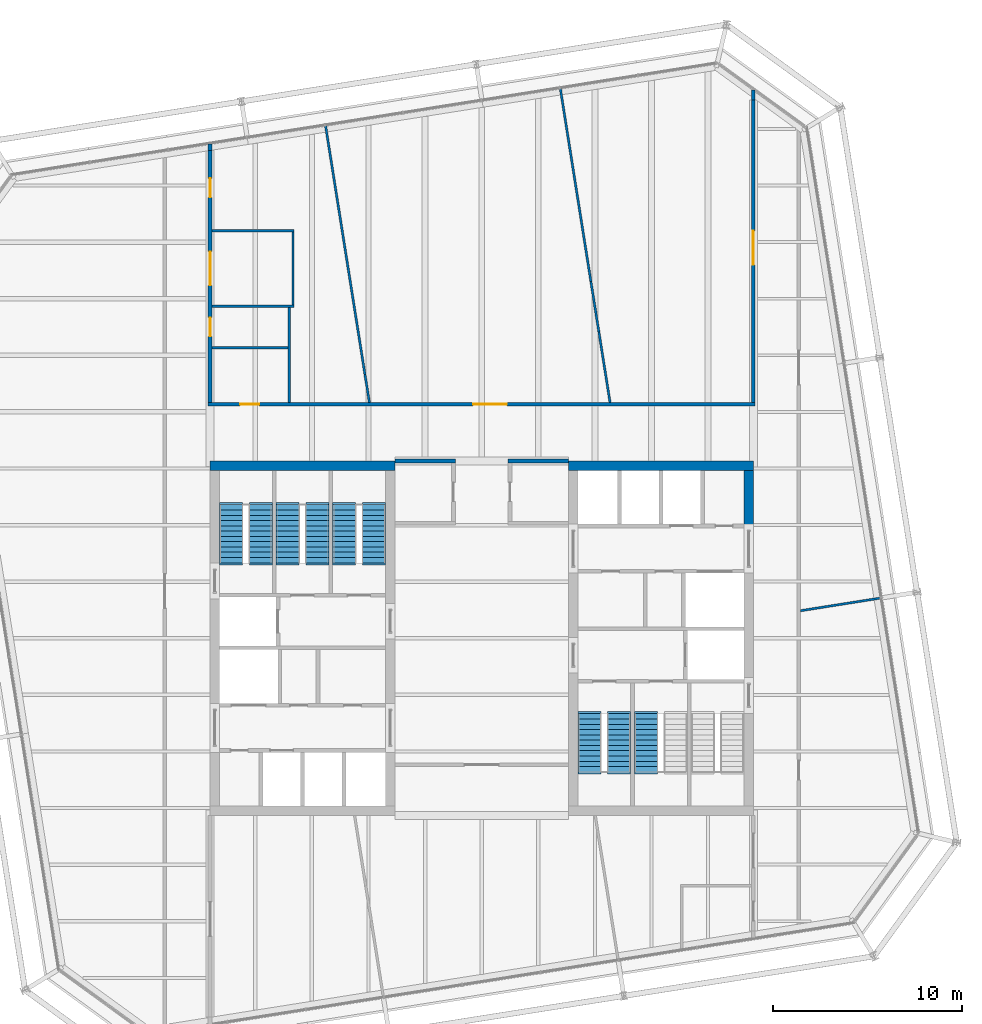
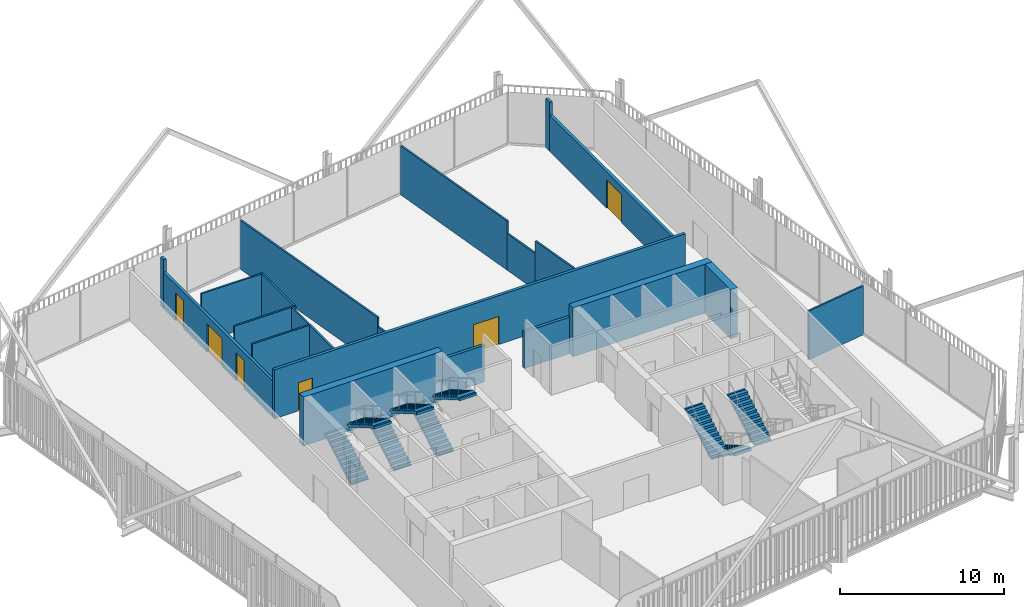
# One storey, part 19 of 21: 21 walls, 9 stair flights, 6 doors, 6 openings, 5 elements without a shape of their own.
"""IFC4 building model written with IfcOpenShell, lengths in metres."""

from ifc_helpers import new_model, si_unit, direction, frame, frame_2d, origin, place, context, subcontext, project, spatial, polyline, rectangle, outline, extrude, material, layer, layer_set, type_object, element, fill, aggregate, save


model = new_model("IFC4")

# Units and contexts
model_context = context("Model", 3, precision=1e-05, world=origin(), true_north=direction((0.0, 1.0)))
body_context = subcontext(model_context, "Body", "Model", "MODEL_VIEW")
ifc_project = project(units=[si_unit("LENGTHUNIT", "METRE"), si_unit("AREAUNIT", "SQUARE_METRE"), si_unit("VOLUMEUNIT", "CUBIC_METRE"), si_unit("PLANEANGLEUNIT", "RADIAN"), si_unit("MASSUNIT", "GRAM", prefix="KILO")], contexts=[model_context])

# Site, building, storey
site_placement = place(None, origin())
site = spatial("IfcSite", under=ifc_project, at=site_placement, CompositionType="ELEMENT")
building_placement = place(site_placement, origin())
building = spatial("IfcBuilding", under=site, at=building_placement, Name="Millrace Tower", CompositionType="ELEMENT")
storey_placement = place(building_placement, frame((0.0, 0.0, 235.89990234375)))
storey = spatial("IfcBuildingStorey", under=building, at=storey_placement, Name="L54", CompositionType="ELEMENT", Elevation=235.89990234375)

# Walls
ifc_material_1 = material(Name="Concrete C60", Category="concrete")
ifc_layer_1 = layer(ifc_material_1, 0.5)
ifc_layer_set_1 = layer_set([ifc_layer_1], Name="Concrete C60")
wall_type_1 = type_object("IfcWallType", Name="Core wall 500 Concrete C60", PredefinedType="SHEAR", material=ifc_layer_set_1)
for number, where, z_axis, x_axis, name in (
    (1, (-14.39990234375, 9.14990234375, 0.0), (0.0, 0.0, 1.0), (1.0, 0.0, 0.0), "Core wall W L54"),
    (2, (14.39990234375, 9.14990234375, 0.0), (0.0, 0.0, 1.0), (-1.0, 0.0, 0.0), "Core wall E L54"),
):
    element("IfcWall", number, at=place(storey_placement, frame(where, z_axis=z_axis, x_axis=x_axis)), inside=storey, type_object=wall_type_1, Name=name, PredefinedType="SHEAR", context=body_context, shape_type="SweptSolid", body=[
        extrude(rectangle(XDim=9.7998046875, YDim=0.5, at=frame_2d((4.89990234375, 0.0))), origin(), (0.0, 0.0, 1.0), 3.650146484375),
    ])
wall_1_placement = place(storey_placement, frame((14.14990234375, 8.89990234375, 0.0), z_axis=(0.0, 0.0, 1.0), x_axis=(0.0, -1.0, 0.0)))
element("IfcWall", 3, at=wall_1_placement, inside=storey, type_object=wall_type_1, Name="Core wall E L54", PredefinedType="SHEAR", context=body_context, shape_type="SweptSolid", body=[
    extrude(rectangle(XDim=3.14990234375, YDim=0.5, at=frame_2d((1.574951171875, 0.0))), origin(), (0.0, 0.0, 1.0), 3.650146484375),
])
ifc_material_2 = material(Name="Masonry partition, fire-rated", Category="masonry")
ifc_layer_2 = layer(ifc_material_2, 0.199951171875)
ifc_layer_set_2 = layer_set([ifc_layer_2], Name="Masonry partition, fire-rated")
wall_type_2 = type_object("IfcWallType", Name="Corridor wall 200", PredefinedType="PARTITIONING", material=ifc_layer_set_2)
for number, where, z_axis, x_axis, name in (
    (4, (-4.60009765625, 9.39990234375, 0.0), (0.0, 0.0, 1.0), (1.0, 0.0, 0.0), "Corridor wall L54"),
    (5, (1.39990234375, 9.39990234375, 0.0), (0.0, 0.0, 1.0), (1.0, 0.0, 0.0), "Corridor wall L54"),
):
    element("IfcWall", number, at=place(storey_placement, frame(where, z_axis=z_axis, x_axis=x_axis)), inside=storey, type_object=wall_type_2, Name=name, PredefinedType="PARTITIONING", context=body_context, shape_type="SweptSolid", body=[
        extrude(rectangle(XDim=3.2001953125, YDim=0.199951171875, at=frame_2d((1.60009765625, 0.0))), origin(), (0.0, 0.0, 1.0), 2.722900390625),
    ])

# Wall, openings, doors
wall_2_placement = place(storey_placement, frame((-14.5, 12.39990234375, 0.0), z_axis=(0.0, 0.0, 1.0), x_axis=(1.0, 0.0, 0.0)))
wall_2 = element("IfcWall", 6, at=wall_2_placement, inside=storey, type_object=wall_type_2, Name="Corridor wall L54", PredefinedType="PARTITIONING", context=body_context, shape_type="SweptSolid", body=[
    extrude(rectangle(XDim=29.0, YDim=0.199951171875, at=frame_2d((14.5, 0.0))), origin(), (0.0, 0.0, 1.0), 3.650146484375),
])
opening_1_placement = place(wall_2_placement, frame((1.699951171875, 0.0, 0.0)))
opening_1 = element("IfcOpeningElement", 7, at=opening_1_placement, cuts=wall_2, Name="Opening 54-P005", PredefinedType="OPENING", context=body_context, shape_type="SweptSolid", body=[
    extrude(rectangle(XDim=1.0, YDim=2.10009765625, at=frame_2d((0.5, 1.050048828125))), frame((0.0, 0.10986328125, 0.0), z_axis=(0.0, -1.0, 0.0), x_axis=(1.0, 0.0, 0.0)), (0.0, 0.0, 1.0), 0.219970703125),
])
opening_2_placement = place(wall_2_placement, frame((14.04052734375, 0.0, 0.0)))
opening_2 = element("IfcOpeningElement", 8, at=opening_2_placement, cuts=wall_2, Name="Opening 54-P008", PredefinedType="OPENING", context=body_context, shape_type="SweptSolid", body=[
    extrude(rectangle(XDim=1.800048828125, YDim=2.10009765625, at=frame_2d((0.89990234375, 1.050048828125))), frame((0.0, 0.10986328125, 0.0), z_axis=(0.0, -1.0, 0.0), x_axis=(1.0, 0.0, 0.0)), (0.0, 0.0, 1.0), 0.219970703125),
])
ifc_material_3 = material(Name="Steel door set, fire-rated", Category="steel")
door_type_1 = type_object("IfcDoorType", Name="Corridor door 1000 x 2100", OperationType="SINGLE_SWING_LEFT", PredefinedType="DOOR", material=ifc_material_3)
door_1_placement = place(opening_1_placement, origin())
door_1 = element("IfcDoor", 9, at=door_1_placement, inside=storey, type_object=door_type_1, Name="Door 54-P005", OperationType="SINGLE_SWING_LEFT", OverallHeight=2.10009765625, OverallWidth=1.0, PredefinedType="DOOR", context=body_context, shape_type="SweptSolid", body=[
    extrude(rectangle(XDim=1.0, YDim=2.10009765625, at=frame_2d((0.5, 1.050048828125))), frame((0.0, 0.02490234375, 0.0), z_axis=(0.0, -1.0, 0.0), x_axis=(1.0, 0.0, 0.0)), (0.0, 0.0, 1.0), 0.050048828125),
])
fill(opening_1, door_1)
ifc_material_4 = material(Name="Steel door set, fire-rated", Category="steel")
door_type_2 = type_object("IfcDoorType", Name="Corridor door 1800 x 2100", OperationType="DOUBLE_DOOR_SINGLE_SWING", PredefinedType="DOOR", material=ifc_material_4)
door_2_placement = place(opening_2_placement, frame((1.800048828125, 0.0, 0.0), z_axis=(0.0, 0.0, 1.0), x_axis=(-1.0, 0.0, 0.0)))
door_2 = element("IfcDoor", 10, at=door_2_placement, inside=storey, type_object=door_type_2, Name="Door 54-P008", OperationType="DOUBLE_DOOR_SINGLE_SWING", OverallHeight=2.10009765625, OverallWidth=1.800048828125, PredefinedType="DOOR", context=body_context, shape_type="SweptSolid", body=[
    extrude(rectangle(XDim=1.800048828125, YDim=2.10009765625, at=frame_2d((0.89990234375, 1.050048828125))), frame((0.0, 0.02490234375, 0.0), z_axis=(0.0, -1.0, 0.0), x_axis=(1.0, 0.0, 0.0)), (0.0, 0.0, 1.0), 0.050048828125),
])
fill(opening_2, door_2)

# Wall, opening, door
wall_3_placement = place(storey_placement, frame((14.39990234375, 12.5, 0.0), z_axis=(0.0, 0.0, 1.0), x_axis=(0.0, 1.0, 0.0)))
wall_3 = element("IfcWall", 11, at=wall_3_placement, inside=storey, type_object=wall_type_2, Name="Corridor wall L54", PredefinedType="PARTITIONING", context=body_context, shape_type="SweptSolid", body=[
    extrude(rectangle(XDim=16.040771484375, YDim=0.199951171875, at=frame_2d((8.0205078125, 0.0))), origin(), (0.0, 0.0, 1.0), 2.70263671875),
])
opening_3_placement = place(wall_3_placement, frame((7.298095703125, 0.0, 0.0)))
opening_3 = element("IfcOpeningElement", 12, at=opening_3_placement, cuts=wall_3, Name="Opening 54-P009", PredefinedType="OPENING", context=body_context, shape_type="SweptSolid", body=[
    extrude(rectangle(XDim=1.800048828125, YDim=2.10009765625, at=frame_2d((0.89990234375, 1.050048828125))), frame((0.0, 0.10986328125, 0.0), z_axis=(0.0, -1.0, 0.0), x_axis=(1.0, 0.0, 0.0)), (0.0, 0.0, 1.0), 0.219970703125),
])
door_3_placement = place(opening_3_placement, frame((1.800048828125, 0.0, 0.0), z_axis=(0.0, 0.0, 1.0), x_axis=(-1.0, 0.0, 0.0)))
door_3 = element("IfcDoor", 13, at=door_3_placement, inside=storey, type_object=door_type_2, Name="Door 54-P009", OperationType="DOUBLE_DOOR_SINGLE_SWING", OverallHeight=2.10009765625, OverallWidth=1.800048828125, PredefinedType="DOOR", context=body_context, shape_type="SweptSolid", body=[
    extrude(rectangle(XDim=1.800048828125, YDim=2.10009765625, at=frame_2d((0.89990234375, 1.050048828125))), frame((0.0, 0.02490234375, 0.0), z_axis=(0.0, -1.0, 0.0), x_axis=(1.0, 0.0, 0.0)), (0.0, 0.0, 1.0), 0.050048828125),
])
fill(opening_3, door_3)

# Wall
wall_4_placement = place(storey_placement, frame((14.39990234375, 28.540771484375, 0.0), z_axis=(0.0, 0.0, 1.0), x_axis=(0.0, 1.0, 0.0)))
element("IfcWall", 14, at=wall_4_placement, inside=storey, type_object=wall_type_2, Name="Corridor wall L54", PredefinedType="PARTITIONING", context=body_context, shape_type="SweptSolid", body=[
    extrude(rectangle(XDim=0.51708984375, YDim=0.199951171875, at=frame_2d((0.258544921875, 0.0))), origin(), (0.0, 0.0, 1.0), 3.650146484375),
])

# Wall, openings, doors
wall_5_placement = place(storey_placement, frame((-14.39990234375, 12.5, 0.0), z_axis=(0.0, 0.0, 1.0), x_axis=(0.0, 1.0, 0.0)))
wall_5 = element("IfcWall", 15, at=wall_5_placement, inside=storey, type_object=wall_type_2, Name="Corridor wall L54", PredefinedType="PARTITIONING", context=body_context, shape_type="SweptSolid", body=[
    extrude(rectangle(XDim=13.3486328125, YDim=0.199951171875, at=frame_2d((6.67431640625, 0.0))), origin(), (0.0, 0.0, 1.0), 2.70263671875),
])
opening_4_placement = place(wall_5_placement, frame((10.8740234375, 0.0, 0.0)))
opening_4 = element("IfcOpeningElement", 16, at=opening_4_placement, cuts=wall_5, Name="Opening 54-P004", PredefinedType="OPENING", context=body_context, shape_type="SweptSolid", body=[
    extrude(rectangle(XDim=1.0, YDim=2.10009765625, at=frame_2d((0.5, 1.050048828125))), frame((0.0, 0.10986328125, 0.0), z_axis=(0.0, -1.0, 0.0), x_axis=(1.0, 0.0, 0.0)), (0.0, 0.0, 1.0), 0.219970703125),
])
opening_5_placement = place(wall_5_placement, frame((3.5, 0.0, 0.0)))
opening_5 = element("IfcOpeningElement", 17, at=opening_5_placement, cuts=wall_5, Name="Opening 54-P006", PredefinedType="OPENING", context=body_context, shape_type="SweptSolid", body=[
    extrude(rectangle(XDim=1.0, YDim=2.10009765625, at=frame_2d((0.5, 1.050048828125))), frame((0.0, 0.10986328125, 0.0), z_axis=(0.0, -1.0, 0.0), x_axis=(1.0, 0.0, 0.0)), (0.0, 0.0, 1.0), 0.219970703125),
])
opening_6_placement = place(wall_5_placement, frame((6.199951171875, 0.0, 0.0)))
opening_6 = element("IfcOpeningElement", 18, at=opening_6_placement, cuts=wall_5, Name="Opening 54-P007", PredefinedType="OPENING", context=body_context, shape_type="SweptSolid", body=[
    extrude(rectangle(XDim=1.800048828125, YDim=2.10009765625, at=frame_2d((0.89990234375, 1.050048828125))), frame((0.0, 0.10986328125, 0.0), z_axis=(0.0, -1.0, 0.0), x_axis=(1.0, 0.0, 0.0)), (0.0, 0.0, 1.0), 0.219970703125),
])
door_4_placement = place(opening_4_placement, frame((1.0, 0.0, 0.0), z_axis=(0.0, 0.0, 1.0), x_axis=(-1.0, 0.0, 0.0)))
door_4 = element("IfcDoor", 19, at=door_4_placement, inside=storey, type_object=door_type_1, Name="Door 54-P004", OperationType="SINGLE_SWING_LEFT", OverallHeight=2.10009765625, OverallWidth=1.0, PredefinedType="DOOR", context=body_context, shape_type="SweptSolid", body=[
    extrude(rectangle(XDim=1.0, YDim=2.10009765625, at=frame_2d((0.5, 1.050048828125))), frame((0.0, 0.02490234375, 0.0), z_axis=(0.0, -1.0, 0.0), x_axis=(1.0, 0.0, 0.0)), (0.0, 0.0, 1.0), 0.050048828125),
])
fill(opening_4, door_4)
door_5_placement = place(opening_5_placement, frame((1.0, 0.0, 0.0), z_axis=(0.0, 0.0, 1.0), x_axis=(-1.0, 0.0, 0.0)))
door_5 = element("IfcDoor", 20, at=door_5_placement, inside=storey, type_object=door_type_1, Name="Door 54-P006", OperationType="SINGLE_SWING_RIGHT", OverallHeight=2.10009765625, OverallWidth=1.0, PredefinedType="DOOR", context=body_context, shape_type="SweptSolid", body=[
    extrude(rectangle(XDim=1.0, YDim=2.10009765625, at=frame_2d((0.5, 1.050048828125))), frame((0.0, 0.02490234375, 0.0), z_axis=(0.0, -1.0, 0.0), x_axis=(1.0, 0.0, 0.0)), (0.0, 0.0, 1.0), 0.050048828125),
])
fill(opening_5, door_5)
door_6_placement = place(opening_6_placement, frame((1.800048828125, 0.0, 0.0), z_axis=(0.0, 0.0, 1.0), x_axis=(-1.0, 0.0, 0.0)))
door_6 = element("IfcDoor", 21, at=door_6_placement, inside=storey, type_object=door_type_2, Name="Door 54-P007", OperationType="DOUBLE_DOOR_SINGLE_SWING", OverallHeight=2.10009765625, OverallWidth=1.800048828125, PredefinedType="DOOR", context=body_context, shape_type="SweptSolid", body=[
    extrude(rectangle(XDim=1.800048828125, YDim=2.10009765625, at=frame_2d((0.89990234375, 1.050048828125))), frame((0.0, 0.02490234375, 0.0), z_axis=(0.0, -1.0, 0.0), x_axis=(1.0, 0.0, 0.0)), (0.0, 0.0, 1.0), 0.050048828125),
])
fill(opening_6, door_6)

# Walls
wall_6_placement = place(storey_placement, frame((-14.39990234375, 25.8486328125, 0.0), z_axis=(0.0, 0.0, 1.0), x_axis=(0.0, 1.0, 0.0)))
element("IfcWall", 22, at=wall_6_placement, inside=storey, type_object=wall_type_2, Name="Corridor wall L54", PredefinedType="PARTITIONING", context=body_context, shape_type="SweptSolid", body=[
    extrude(rectangle(XDim=0.349609375, YDim=0.199951171875, at=frame_2d((0.1748046875, 0.0))), origin(), (0.0, 0.0, 1.0), 3.650146484375),
])
ifc_material_5 = material(Name="Gypsum board partition")
ifc_layer_3 = layer(ifc_material_5, 0.1201171875)
ifc_layer_set_3 = layer_set([ifc_layer_3], Name="Gypsum board partition")
wall_type_3 = type_object("IfcWallType", Name="Partition wall 120", PredefinedType="PARTITIONING", material=ifc_layer_set_3)
wall_7_placement = place(storey_placement, frame((-8.27685546875, 27.16796875, 0.0), z_axis=(0.0, 0.0, 1.0), x_axis=(0.156426233908, -0.987689644243, 0.0)))
element("IfcWall", 23, at=wall_7_placement, inside=storey, type_object=wall_type_3, Name="Partition wall L54", PredefinedType="PARTITIONING", context=body_context, shape_type="SweptSolid", body=[
    extrude(rectangle(XDim=13.356689453125, YDim=0.1201171875, at=frame_2d((6.67822265625, 0.0))), origin(), (0.0, 0.0, 1.0), 3.650146484375),
])
wall_8_placement = place(storey_placement, frame((-6.1875, 13.9755859375, 0.0), z_axis=(0.0, 0.0, 1.0), x_axis=(0.156423716504, -0.987690042936, 0.0)))
element("IfcWall", 24, at=wall_8_placement, inside=storey, type_object=wall_type_3, Name="Partition wall L54", PredefinedType="PARTITIONING", context=body_context, shape_type="SweptSolid", body=[
    extrude(rectangle(XDim=1.4951171875, YDim=0.1201171875, at=frame_2d((0.74755859375, 0.0))), origin(), (0.0, 0.0, 1.0), 2.956787109375),
])
wall_9_placement = place(storey_placement, frame((4.168212890625, 29.13916015625, 0.0), z_axis=(0.0, 0.0, 1.0), x_axis=(0.156414369749, -0.987691523167, 0.0)))
element("IfcWall", 25, at=wall_9_placement, inside=storey, type_object=wall_type_3, Name="Partition wall L54", PredefinedType="PARTITIONING", context=body_context, shape_type="SweptSolid", body=[
    extrude(rectangle(XDim=10.35009765625, YDim=0.1201171875, at=frame_2d((5.175048828125, 0.0))), origin(), (0.0, 0.0, 1.0), 3.650146484375),
])
wall_10_placement = place(storey_placement, frame((5.787109375, 18.91650390625, 0.0), z_axis=(0.0, 0.0, 1.0), x_axis=(0.156381577148, -0.987696715763, 0.0)))
element("IfcWall", 26, at=wall_10_placement, inside=storey, type_object=wall_type_3, Name="Partition wall L54", PredefinedType="PARTITIONING", context=body_context, shape_type="SweptSolid", body=[
    extrude(rectangle(XDim=2.72265625, YDim=0.1201171875, at=frame_2d((1.361328125, 0.0))), origin(), (0.0, 0.0, 1.0), 2.722900390625),
])
wall_11_placement = place(storey_placement, frame((6.212890625, 16.227294921875, 0.0), z_axis=(0.0, 0.0, 1.0), x_axis=(0.15644410697, -0.987686813415, 0.0)))
element("IfcWall", 27, at=wall_11_placement, inside=storey, type_object=wall_type_3, Name="Partition wall L54", PredefinedType="PARTITIONING", context=body_context, shape_type="SweptSolid", body=[
    extrude(rectangle(XDim=3.77490234375, YDim=0.1201171875, at=frame_2d((1.887451171875, 0.0))), origin(), (0.0, 0.0, 1.0), 3.650146484375),
])
wall_12_placement = place(storey_placement, frame((-14.300048828125, 15.39990234375, 0.0), z_axis=(0.0, 0.0, 1.0), x_axis=(1.0, 0.0, 0.0)))
element("IfcWall", 28, at=wall_12_placement, inside=storey, type_object=wall_type_3, Name="Partition wall L54", PredefinedType="PARTITIONING", context=body_context, shape_type="SweptSolid", body=[
    extrude(rectangle(XDim=4.0400390625, YDim=0.1201171875, at=frame_2d((2.02001953125, 0.0))), origin(), (0.0, 0.0, 1.0), 3.650146484375),
])
for number, where, z_axis, x_axis, name in (
    (29, (-14.300048828125, 17.60009765625, 0.0), (0.0, 0.0, 1.0), (1.0, 0.0, 0.0), "Partition wall L54"),
    (30, (-14.300048828125, 21.60009765625, 0.0), (0.0, 0.0, 1.0), (1.0, 0.0, 0.0), "Partition wall L54"),
):
    element("IfcWall", number, at=place(storey_placement, frame(where, z_axis=z_axis, x_axis=x_axis)), inside=storey, type_object=wall_type_3, Name=name, PredefinedType="PARTITIONING", context=body_context, shape_type="SweptSolid", body=[
        extrude(rectangle(XDim=4.360107421875, YDim=0.1201171875, at=frame_2d((2.18017578125, 0.0))), origin(), (0.0, 0.0, 1.0), 3.650146484375),
    ])
wall_13_placement = place(storey_placement, frame((16.898681640625, 1.459716796875, 0.0), z_axis=(0.0, 0.0, 1.0), x_axis=(0.987700537399, 0.156357438014, 0.0)))
element("IfcWall", 31, at=wall_13_placement, inside=storey, type_object=wall_type_3, Name="Partition wall L54", PredefinedType="PARTITIONING", context=body_context, shape_type="SweptSolid", body=[
    extrude(rectangle(XDim=4.2861328125, YDim=0.1201171875, at=frame_2d((2.14306640625, 0.0))), origin(), (0.0, 0.0, 1.0), 3.650146484375),
])
wall_14_placement = place(storey_placement, frame((-10.0, 17.659912109375, 0.0), z_axis=(0.0, 0.0, 1.0), x_axis=(0.0, 1.0, 0.0)))
element("IfcWall", 32, at=wall_14_placement, inside=storey, type_object=wall_type_3, Name="Partition wall L54", PredefinedType="PARTITIONING", context=body_context, shape_type="SweptSolid", body=[
    extrude(rectangle(XDim=3.880126953125, YDim=0.1201171875, at=frame_2d((1.93994140625, 0.0))), origin(), (0.0, 0.0, 1.0), 3.650146484375),
])
wall_15_placement = place(storey_placement, frame((-10.199951171875, 12.5, 0.0), z_axis=(0.0, 0.0, 1.0), x_axis=(0.0, 1.0, 0.0)))
element("IfcWall", 33, at=wall_15_placement, inside=storey, type_object=wall_type_3, Name="Partition wall L54", PredefinedType="PARTITIONING", context=body_context, shape_type="SweptSolid", body=[
    extrude(rectangle(XDim=5.0400390625, YDim=0.1201171875, at=frame_2d((2.52001953125, 0.0))), origin(), (0.0, 0.0, 1.0), 3.650146484375),
])

# Stair, stair flights
ifc_material_6 = material(Name="Concrete C35", Category="concrete")
stair_type = type_object("IfcStairType", Name="Exit stair", PredefinedType="HALF_TURN_STAIR", material=ifc_material_6)
placement = place(storey_placement, origin())
stair_1 = element("IfcStair", 34, at=placement, inside=storey, type_object=stair_type, Name="Stair 1 W L54", PredefinedType="HALF_TURN_STAIR")
ifc_material_7 = material(Name="Concrete C35", Category="concrete")
stair_flight_type = type_object("IfcStairFlightType", Name="Exit stair flight", PredefinedType="STRAIGHT", material=ifc_material_7)
stair_flight_1_placement = place(storey_placement, frame((-13.2900390625, 4.0, 0.0), z_axis=(0.0, 0.0, 1.0), x_axis=(0.0, 1.0, 0.0)))
stair_flight_1 = element("IfcStairFlight", 35, at=stair_flight_1_placement, type_object=stair_flight_type, Name="ST12 flight 1", NumberOfRisers=12, NumberOfTreads=11, PredefinedType="STRAIGHT", RiserHeight=0.1625, TreadLength=0.28, context=body_context, shape_type="SweptSolid", body=[
    extrude(outline(polyline([(-0.1201171875, -0.0400390625), (-0.1201171875, 0.0), (0.0, 0.0), (0.0, 0.16259765625), (0.280029296875, 0.16259765625), (0.280029296875, 0.324951171875), (0.56005859375, 0.324951171875), (0.56005859375, 0.487548828125), (0.840087890625, 0.487548828125), (0.840087890625, 0.64990234375), (1.1201171875, 0.64990234375), (1.1201171875, 0.8125), (1.39990234375, 0.8125), (1.39990234375, 0.97509765625), (1.679931640625, 0.97509765625), (1.679931640625, 1.137451171875), (1.9599609375, 1.137451171875), (1.9599609375, 1.300048828125), (2.239990234375, 1.300048828125), (2.239990234375, 1.46240234375), (2.52001953125, 1.46240234375), (2.52001953125, 1.625), (2.800048828125, 1.625), (2.800048828125, 1.78759765625), (3.080078125, 1.78759765625), (3.080078125, 1.8076171875), (3.199951171875, 1.8076171875), (3.199951171875, 1.6142578125), (3.080078125, 1.6142578125), (0.298583984375, 0.0), (0.298583984375, -0.0400390625), (-0.1201171875, -0.0400390625)])), frame((0.0, 0.60986328125, 0.0), z_axis=(0.0, -1.0, 0.0), x_axis=(1.0, 0.0, 0.0)), (0.0, 0.0, 1.0), 1.219970703125),
])
stair_flight_2_placement = place(storey_placement, frame((-11.7099609375, 7.080078125, 1.9501953125), z_axis=(0.0, 0.0, 1.0), x_axis=(0.0, -1.0, 0.0)))
stair_flight_2 = element("IfcStairFlight", 36, at=stair_flight_2_placement, type_object=stair_flight_type, Name="ST12 flight 2", NumberOfRisers=12, NumberOfTreads=11, PredefinedType="STRAIGHT", RiserHeight=0.1625, TreadLength=0.28, context=body_context, shape_type="SweptSolid", body=[
    extrude(outline(polyline([(-0.1201171875, -0.0400390625), (-0.1201171875, 0.0), (0.0, 0.0), (0.0, 0.16259765625), (0.280029296875, 0.16259765625), (0.280029296875, 0.324951171875), (0.56005859375, 0.324951171875), (0.56005859375, 0.487548828125), (0.840087890625, 0.487548828125), (0.840087890625, 0.64990234375), (1.1201171875, 0.64990234375), (1.1201171875, 0.8125), (1.39990234375, 0.8125), (1.39990234375, 0.97509765625), (1.679931640625, 0.97509765625), (1.679931640625, 1.137451171875), (1.9599609375, 1.137451171875), (1.9599609375, 1.300048828125), (2.239990234375, 1.300048828125), (2.239990234375, 1.46240234375), (2.52001953125, 1.46240234375), (2.52001953125, 1.625), (2.800048828125, 1.625), (2.800048828125, 1.78759765625), (3.080078125, 1.78759765625), (3.080078125, 1.8076171875), (3.199951171875, 1.8076171875), (3.199951171875, 1.6142578125), (3.080078125, 1.6142578125), (0.298583984375, 0.0), (0.298583984375, -0.0400390625), (-0.1201171875, -0.0400390625)])), frame((0.0, 0.60986328125, 0.0), z_axis=(0.0, -1.0, 0.0), x_axis=(1.0, 0.0, 0.0)), (0.0, 0.0, 1.0), 1.219970703125),
])
aggregate(stair_1, [stair_flight_1, stair_flight_2])

stair_2 = element("IfcStair", 37, at=placement, inside=storey, type_object=stair_type, Name="Stair 2 W L54", PredefinedType="HALF_TURN_STAIR")
stair_flight_3_placement = place(storey_placement, frame((-10.2900390625, 4.0, 0.0), z_axis=(0.0, 0.0, 1.0), x_axis=(0.0, 1.0, 0.0)))
stair_flight_3 = element("IfcStairFlight", 38, at=stair_flight_3_placement, type_object=stair_flight_type, Name="ST12 flight 1", NumberOfRisers=12, NumberOfTreads=11, PredefinedType="STRAIGHT", RiserHeight=0.1625, TreadLength=0.28, context=body_context, shape_type="SweptSolid", body=[
    extrude(outline(polyline([(-0.1201171875, -0.0400390625), (-0.1201171875, 0.0), (0.0, 0.0), (0.0, 0.16259765625), (0.280029296875, 0.16259765625), (0.280029296875, 0.324951171875), (0.56005859375, 0.324951171875), (0.56005859375, 0.487548828125), (0.840087890625, 0.487548828125), (0.840087890625, 0.64990234375), (1.1201171875, 0.64990234375), (1.1201171875, 0.8125), (1.39990234375, 0.8125), (1.39990234375, 0.97509765625), (1.679931640625, 0.97509765625), (1.679931640625, 1.137451171875), (1.9599609375, 1.137451171875), (1.9599609375, 1.300048828125), (2.239990234375, 1.300048828125), (2.239990234375, 1.46240234375), (2.52001953125, 1.46240234375), (2.52001953125, 1.625), (2.800048828125, 1.625), (2.800048828125, 1.78759765625), (3.080078125, 1.78759765625), (3.080078125, 1.8076171875), (3.199951171875, 1.8076171875), (3.199951171875, 1.6142578125), (3.080078125, 1.6142578125), (0.298583984375, 0.0), (0.298583984375, -0.0400390625), (-0.1201171875, -0.0400390625)])), frame((0.0, 0.60986328125, 0.0), z_axis=(0.0, -1.0, 0.0), x_axis=(1.0, 0.0, 0.0)), (0.0, 0.0, 1.0), 1.219970703125),
])
stair_flight_4_placement = place(storey_placement, frame((-8.7099609375, 7.080078125, 1.9501953125), z_axis=(0.0, 0.0, 1.0), x_axis=(0.0, -1.0, 0.0)))
stair_flight_4 = element("IfcStairFlight", 39, at=stair_flight_4_placement, type_object=stair_flight_type, Name="ST12 flight 2", NumberOfRisers=12, NumberOfTreads=11, PredefinedType="STRAIGHT", RiserHeight=0.1625, TreadLength=0.28, context=body_context, shape_type="SweptSolid", body=[
    extrude(outline(polyline([(-0.1201171875, -0.0400390625), (-0.1201171875, 0.0), (0.0, 0.0), (0.0, 0.16259765625), (0.280029296875, 0.16259765625), (0.280029296875, 0.324951171875), (0.56005859375, 0.324951171875), (0.56005859375, 0.487548828125), (0.840087890625, 0.487548828125), (0.840087890625, 0.64990234375), (1.1201171875, 0.64990234375), (1.1201171875, 0.8125), (1.39990234375, 0.8125), (1.39990234375, 0.97509765625), (1.679931640625, 0.97509765625), (1.679931640625, 1.137451171875), (1.9599609375, 1.137451171875), (1.9599609375, 1.300048828125), (2.239990234375, 1.300048828125), (2.239990234375, 1.46240234375), (2.52001953125, 1.46240234375), (2.52001953125, 1.625), (2.800048828125, 1.625), (2.800048828125, 1.78759765625), (3.080078125, 1.78759765625), (3.080078125, 1.8076171875), (3.199951171875, 1.8076171875), (3.199951171875, 1.6142578125), (3.080078125, 1.6142578125), (0.298583984375, 0.0), (0.298583984375, -0.0400390625), (-0.1201171875, -0.0400390625)])), frame((0.0, 0.60986328125, 0.0), z_axis=(0.0, -1.0, 0.0), x_axis=(1.0, 0.0, 0.0)), (0.0, 0.0, 1.0), 1.219970703125),
])
aggregate(stair_2, [stair_flight_3, stair_flight_4])

stair_3 = element("IfcStair", 40, at=placement, inside=storey, type_object=stair_type, Name="Stair 3 W L54", PredefinedType="HALF_TURN_STAIR")
stair_flight_5_placement = place(storey_placement, frame((-7.2900390625, 4.0, 0.0), z_axis=(0.0, 0.0, 1.0), x_axis=(0.0, 1.0, 0.0)))
stair_flight_5 = element("IfcStairFlight", 41, at=stair_flight_5_placement, type_object=stair_flight_type, Name="ST12 flight 1", NumberOfRisers=12, NumberOfTreads=11, PredefinedType="STRAIGHT", RiserHeight=0.1625, TreadLength=0.28, context=body_context, shape_type="SweptSolid", body=[
    extrude(outline(polyline([(-0.1201171875, -0.0400390625), (-0.1201171875, 0.0), (0.0, 0.0), (0.0, 0.16259765625), (0.280029296875, 0.16259765625), (0.280029296875, 0.324951171875), (0.56005859375, 0.324951171875), (0.56005859375, 0.487548828125), (0.840087890625, 0.487548828125), (0.840087890625, 0.64990234375), (1.1201171875, 0.64990234375), (1.1201171875, 0.8125), (1.39990234375, 0.8125), (1.39990234375, 0.97509765625), (1.679931640625, 0.97509765625), (1.679931640625, 1.137451171875), (1.9599609375, 1.137451171875), (1.9599609375, 1.300048828125), (2.239990234375, 1.300048828125), (2.239990234375, 1.46240234375), (2.52001953125, 1.46240234375), (2.52001953125, 1.625), (2.800048828125, 1.625), (2.800048828125, 1.78759765625), (3.080078125, 1.78759765625), (3.080078125, 1.8076171875), (3.199951171875, 1.8076171875), (3.199951171875, 1.6142578125), (3.080078125, 1.6142578125), (0.298583984375, 0.0), (0.298583984375, -0.0400390625), (-0.1201171875, -0.0400390625)])), frame((0.0, 0.60986328125, 0.0), z_axis=(0.0, -1.0, 0.0), x_axis=(1.0, 0.0, 0.0)), (0.0, 0.0, 1.0), 1.219970703125),
])
stair_flight_6_placement = place(storey_placement, frame((-5.7099609375, 7.080078125, 1.9501953125), z_axis=(0.0, 0.0, 1.0), x_axis=(0.0, -1.0, 0.0)))
stair_flight_6 = element("IfcStairFlight", 42, at=stair_flight_6_placement, type_object=stair_flight_type, Name="ST12 flight 2", NumberOfRisers=12, NumberOfTreads=11, PredefinedType="STRAIGHT", RiserHeight=0.1625, TreadLength=0.28, context=body_context, shape_type="SweptSolid", body=[
    extrude(outline(polyline([(-0.1201171875, -0.0400390625), (-0.1201171875, 0.0), (0.0, 0.0), (0.0, 0.16259765625), (0.280029296875, 0.16259765625), (0.280029296875, 0.324951171875), (0.56005859375, 0.324951171875), (0.56005859375, 0.487548828125), (0.840087890625, 0.487548828125), (0.840087890625, 0.64990234375), (1.1201171875, 0.64990234375), (1.1201171875, 0.8125), (1.39990234375, 0.8125), (1.39990234375, 0.97509765625), (1.679931640625, 0.97509765625), (1.679931640625, 1.137451171875), (1.9599609375, 1.137451171875), (1.9599609375, 1.300048828125), (2.239990234375, 1.300048828125), (2.239990234375, 1.46240234375), (2.52001953125, 1.46240234375), (2.52001953125, 1.625), (2.800048828125, 1.625), (2.800048828125, 1.78759765625), (3.080078125, 1.78759765625), (3.080078125, 1.8076171875), (3.199951171875, 1.8076171875), (3.199951171875, 1.6142578125), (3.080078125, 1.6142578125), (0.298583984375, 0.0), (0.298583984375, -0.0400390625), (-0.1201171875, -0.0400390625)])), frame((0.0, 0.60986328125, 0.0), z_axis=(0.0, -1.0, 0.0), x_axis=(1.0, 0.0, 0.0)), (0.0, 0.0, 1.0), 1.219970703125),
])
aggregate(stair_3, [stair_flight_5, stair_flight_6])

# Stair, stair flight
stair_4 = element("IfcStair", 43, at=placement, inside=storey, type_object=stair_type, Name="Stair 2 E L54", PredefinedType="HALF_TURN_STAIR")
stair_flight_7_placement = place(storey_placement, frame((8.7099609375, -7.080078125, 1.9501953125), z_axis=(0.0, 0.0, 1.0), x_axis=(0.0, 1.0, 0.0)))
stair_flight_7 = element("IfcStairFlight", 44, at=stair_flight_7_placement, type_object=stair_flight_type, Name="ST12 flight 2", NumberOfRisers=12, NumberOfTreads=11, PredefinedType="STRAIGHT", RiserHeight=0.1625, TreadLength=0.28, context=body_context, shape_type="SweptSolid", body=[
    extrude(outline(polyline([(-0.1201171875, -0.0400390625), (-0.1201171875, 0.0), (0.0, 0.0), (0.0, 0.16259765625), (0.280029296875, 0.16259765625), (0.280029296875, 0.324951171875), (0.56005859375, 0.324951171875), (0.56005859375, 0.487548828125), (0.840087890625, 0.487548828125), (0.840087890625, 0.64990234375), (1.1201171875, 0.64990234375), (1.1201171875, 0.8125), (1.39990234375, 0.8125), (1.39990234375, 0.97509765625), (1.679931640625, 0.97509765625), (1.679931640625, 1.137451171875), (1.9599609375, 1.137451171875), (1.9599609375, 1.300048828125), (2.239990234375, 1.300048828125), (2.239990234375, 1.46240234375), (2.52001953125, 1.46240234375), (2.52001953125, 1.625), (2.800048828125, 1.625), (2.800048828125, 1.78759765625), (3.080078125, 1.78759765625), (3.080078125, 1.8076171875), (3.199951171875, 1.8076171875), (3.199951171875, 1.6142578125), (3.080078125, 1.6142578125), (0.298583984375, 0.0), (0.298583984375, -0.0400390625), (-0.1201171875, -0.0400390625)])), frame((0.0, 0.60986328125, 0.0), z_axis=(0.0, -1.0, 0.0), x_axis=(1.0, 0.0, 0.0)), (0.0, 0.0, 1.0), 1.219970703125),
])
aggregate(stair_4, [stair_flight_7])

# Stair, stair flights
stair_5 = element("IfcStair", 45, at=placement, inside=storey, type_object=stair_type, Name="Stair 3 E L54", PredefinedType="HALF_TURN_STAIR")
stair_flight_8_placement = place(storey_placement, frame((7.2900390625, -4.0, 0.0), z_axis=(0.0, 0.0, 1.0), x_axis=(0.0, -1.0, 0.0)))
stair_flight_8 = element("IfcStairFlight", 46, at=stair_flight_8_placement, type_object=stair_flight_type, Name="ST12 flight 1", NumberOfRisers=12, NumberOfTreads=11, PredefinedType="STRAIGHT", RiserHeight=0.1625, TreadLength=0.28, context=body_context, shape_type="SweptSolid", body=[
    extrude(outline(polyline([(-0.1201171875, -0.0400390625), (-0.1201171875, 0.0), (0.0, 0.0), (0.0, 0.16259765625), (0.280029296875, 0.16259765625), (0.280029296875, 0.324951171875), (0.56005859375, 0.324951171875), (0.56005859375, 0.487548828125), (0.840087890625, 0.487548828125), (0.840087890625, 0.64990234375), (1.1201171875, 0.64990234375), (1.1201171875, 0.8125), (1.39990234375, 0.8125), (1.39990234375, 0.97509765625), (1.679931640625, 0.97509765625), (1.679931640625, 1.137451171875), (1.9599609375, 1.137451171875), (1.9599609375, 1.300048828125), (2.239990234375, 1.300048828125), (2.239990234375, 1.46240234375), (2.52001953125, 1.46240234375), (2.52001953125, 1.625), (2.800048828125, 1.625), (2.800048828125, 1.78759765625), (3.080078125, 1.78759765625), (3.080078125, 1.8076171875), (3.199951171875, 1.8076171875), (3.199951171875, 1.6142578125), (3.080078125, 1.6142578125), (0.298583984375, 0.0), (0.298583984375, -0.0400390625), (-0.1201171875, -0.0400390625)])), frame((0.0, 0.60986328125, 0.0), z_axis=(0.0, -1.0, 0.0), x_axis=(1.0, 0.0, 0.0)), (0.0, 0.0, 1.0), 1.219970703125),
])
stair_flight_9_placement = place(storey_placement, frame((5.7099609375, -7.080078125, 1.9501953125), z_axis=(0.0, 0.0, 1.0), x_axis=(0.0, 1.0, 0.0)))
stair_flight_9 = element("IfcStairFlight", 47, at=stair_flight_9_placement, type_object=stair_flight_type, Name="ST12 flight 2", NumberOfRisers=12, NumberOfTreads=11, PredefinedType="STRAIGHT", RiserHeight=0.1625, TreadLength=0.28, context=body_context, shape_type="SweptSolid", body=[
    extrude(outline(polyline([(-0.1201171875, -0.0400390625), (-0.1201171875, 0.0), (0.0, 0.0), (0.0, 0.16259765625), (0.280029296875, 0.16259765625), (0.280029296875, 0.324951171875), (0.56005859375, 0.324951171875), (0.56005859375, 0.487548828125), (0.840087890625, 0.487548828125), (0.840087890625, 0.64990234375), (1.1201171875, 0.64990234375), (1.1201171875, 0.8125), (1.39990234375, 0.8125), (1.39990234375, 0.97509765625), (1.679931640625, 0.97509765625), (1.679931640625, 1.137451171875), (1.9599609375, 1.137451171875), (1.9599609375, 1.300048828125), (2.239990234375, 1.300048828125), (2.239990234375, 1.46240234375), (2.52001953125, 1.46240234375), (2.52001953125, 1.625), (2.800048828125, 1.625), (2.800048828125, 1.78759765625), (3.080078125, 1.78759765625), (3.080078125, 1.8076171875), (3.199951171875, 1.8076171875), (3.199951171875, 1.6142578125), (3.080078125, 1.6142578125), (0.298583984375, 0.0), (0.298583984375, -0.0400390625), (-0.1201171875, -0.0400390625)])), frame((0.0, 0.60986328125, 0.0), z_axis=(0.0, -1.0, 0.0), x_axis=(1.0, 0.0, 0.0)), (0.0, 0.0, 1.0), 1.219970703125),
])
aggregate(stair_5, [stair_flight_8, stair_flight_9])

save(model, "model.ifc")
